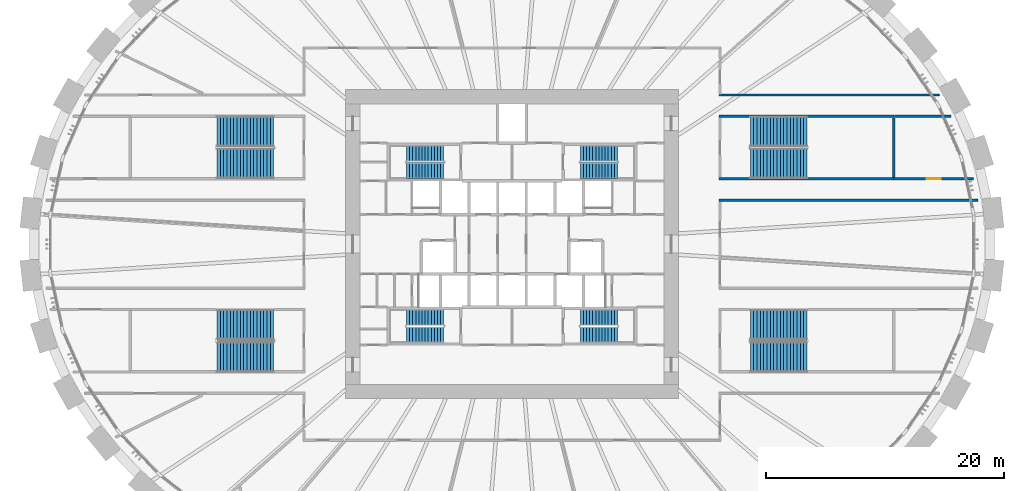
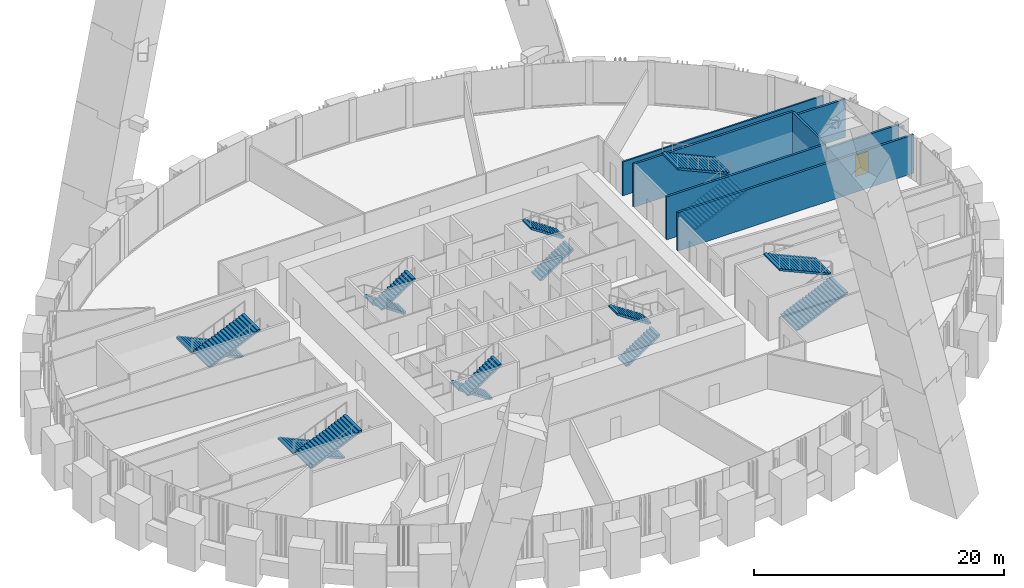
# One storey, part 12 of 23: 16 stair flights, 7 walls, 1 door, 1 opening, 8 elements without a shape of their own.
"""IFC4 building model written with IfcOpenShell, lengths in metres."""

from ifc_helpers import new_model, si_unit, direction, frame, frame_2d, origin, place, context, subcontext, project, spatial, polyline, rectangle, outline, extrude, source, transform, mapped, material, layer, layer_set, type_object, element, fill, aggregate, save


model = new_model("IFC4")

# Units and contexts
model_context = context("Model", 3, precision=1e-05, world=origin(), true_north=direction((0.0, 1.0)))
body_context = subcontext(model_context, "Body", "Model", "MODEL_VIEW")
ifc_project = project(units=[si_unit("LENGTHUNIT", "METRE"), si_unit("AREAUNIT", "SQUARE_METRE"), si_unit("VOLUMEUNIT", "CUBIC_METRE"), si_unit("PLANEANGLEUNIT", "RADIAN"), si_unit("MASSUNIT", "GRAM", prefix="KILO")], contexts=[model_context])

# Site, building, storey
site_placement = place(None, origin())
site = spatial("IfcSite", under=ifc_project, at=site_placement, CompositionType="ELEMENT")
building_placement = place(site_placement, origin())
building = spatial("IfcBuilding", under=site, at=building_placement, Name="Embergate Tower", CompositionType="ELEMENT")
storey_placement = place(building_placement, frame((0.0, 0.0, 29.0)))
storey = spatial("IfcBuildingStorey", under=building, at=storey_placement, Name="L03", CompositionType="ELEMENT", Elevation=29.0)

# Walls
ifc_material_1 = material(Name="Concrete C40", Category="concrete")
ifc_layer_1 = layer(ifc_material_1, 0.199951171875)
ifc_layer_set_1 = layer_set([ifc_layer_1], Name="Concrete C40")
wall_type_1 = type_object("IfcWallType", Name="Stair enclosure wall RC 200", PredefinedType="STANDARD", material=ifc_layer_set_1)
shared_shape_1 = source(origin(), body_context, "Body", "SweptSolid", [
    extrude(rectangle(XDim=14.72021484375, YDim=0.199951171875, at=frame_2d((7.360107421875, 0.0))), origin(), (0.0, 0.0, 1.0), 4.199951171875),
])
for number, where, z_axis, x_axis, name in (
    (1, (17.39990234375, 5.5, 0.0), (0.0, 0.0, 1.0), (1.0, 0.0, 0.0), "Stair wall 052"),
    (2, (32.1201171875, 10.75, 0.0), (0.0, 0.0, 1.0), (-1.0, 0.0, 0.0), "Stair wall 061"),
):
    element("IfcWall", number, at=place(storey_placement, frame(where, z_axis=z_axis, x_axis=x_axis)), inside=storey, type_object=wall_type_1, Name=name, PredefinedType="STANDARD", context=body_context, shape_type="MappedRepresentation", body=[
        mapped(shared_shape_1, transform((0.0, 0.0, 0.0))),
    ])
ifc_material_2 = material(Name="Plasterboard on steel stud", Category="steel")
ifc_layer_2 = layer(ifc_material_2, 0.14990234375)
ifc_layer_set_2 = layer_set([ifc_layer_2], Name="Plasterboard on steel stud")
wall_type_2 = type_object("IfcWallType", Name="Partition wall 150 board", PredefinedType="PARTITIONING", material=ifc_layer_set_2)
shared_shape_2 = source(origin(), body_context, "Body", "SweptSolid", [
    extrude(rectangle(XDim=18.510986328125, YDim=0.14990234375, at=frame_2d((9.25537109375, 0.0))), origin(), (0.0, 0.0, 1.0), 3.300048828125),
])
wall_1_placement = place(storey_placement, frame((35.93603515625, 12.550048828125, 0.0), z_axis=(0.0, 0.0, 1.0), x_axis=(-1.0, 0.0, 0.0)))
element("IfcWall", 3, at=wall_1_placement, inside=storey, type_object=wall_type_2, Name="Partition 063", PredefinedType="PARTITIONING", context=body_context, shape_type="MappedRepresentation", body=[
    mapped(shared_shape_2, transform((0.0, 0.0, 0.0))),
])
ifc_material_3 = material(Name="Blockwork, plastered", Category="masonry")
ifc_layer_3 = layer(ifc_material_3, 0.199951171875)
ifc_layer_set_3 = layer_set([ifc_layer_3], Name="Blockwork, plastered")
wall_type_3 = type_object("IfcWallType", Name="Fire partition wall 200 block", PredefinedType="PARTITIONING", material=ifc_layer_set_3)
shared_shape_3 = source(origin(), body_context, "Body", "SweptSolid", [
    extrude(rectangle(XDim=21.7900390625, YDim=0.199951171875, at=frame_2d((10.89501953125, 0.0))), origin(), (0.0, 0.0, 1.0), 3.75),
])
wall_2_placement = place(storey_placement, frame((17.39990234375, 3.699951171875, 0.0), z_axis=(0.0, 0.0, 1.0), x_axis=(1.0, 0.0, 0.0)))
element("IfcWall", 4, at=wall_2_placement, inside=storey, type_object=wall_type_3, Name="Partition 051", PredefinedType="PARTITIONING", context=body_context, shape_type="MappedRepresentation", body=[
    mapped(shared_shape_3, transform((0.0, 0.0, 0.0))),
])
shared_shape_4 = source(origin(), body_context, "Body", "SweptSolid", [
    extrude(rectangle(XDim=5.02978515625, YDim=0.199951171875, at=frame_2d((2.514892578125, 0.0))), origin(), (0.0, 0.0, 1.0), 4.199951171875),
])
wall_3_placement = place(storey_placement, frame((32.1201171875, 5.60009765625, 0.0), z_axis=(0.0, 0.0, 1.0), x_axis=(0.0, 1.0, 0.0)))
element("IfcWall", 5, at=wall_3_placement, inside=storey, type_object=wall_type_1, Name="Stair wall 060", PredefinedType="STANDARD", context=body_context, shape_type="MappedRepresentation", body=[
    mapped(shared_shape_4, transform((0.0, 0.0, 0.0))),
])
shared_shape_5 = source(origin(), body_context, "Body", "SweptSolid", [
    extrude(rectangle(XDim=4.737060546875, YDim=0.199951171875, at=frame_2d((2.36865234375, 0.0))), origin(), (0.0, 0.0, 1.0), 3.75),
])
wall_4_placement = place(storey_placement, frame((32.179931640625, 10.75, 0.0), z_axis=(0.0, 0.0, 1.0), x_axis=(1.0, 0.0, 0.0)))
element("IfcWall", 6, at=wall_4_placement, inside=storey, type_object=wall_type_3, Name="Partition 062", PredefinedType="PARTITIONING", context=body_context, shape_type="MappedRepresentation", body=[
    mapped(shared_shape_5, transform((0.0, 0.0, 0.0))),
])

# Wall, opening, door
shared_shape_6 = source(origin(), body_context, "Body", "SweptSolid", [
    extrude(rectangle(XDim=6.7119140625, YDim=0.199951171875, at=frame_2d((3.35595703125, 0.0))), origin(), (0.0, 0.0, 1.0), 3.75),
])
wall_5_placement = place(storey_placement, frame((38.83203125, 5.5, 0.0), z_axis=(0.0, 0.0, 1.0), x_axis=(-1.0, 0.0, 0.0)))
wall_5 = element("IfcWall", 7, at=wall_5_placement, inside=storey, type_object=wall_type_3, Name="Partition 065", PredefinedType="PARTITIONING", context=body_context, shape_type="MappedRepresentation", body=[
    mapped(shared_shape_6, transform((0.0, 0.0, 0.0))),
])
shared_shape_7 = source(origin(), body_context, "Body", "SweptSolid", [
    extrude(rectangle(XDim=1.199951171875, YDim=2.10009765625, at=frame_2d((0.60009765625, 1.050048828125))), frame((0.0, 0.10986328125, 0.0), z_axis=(0.0, -1.0, 0.0), x_axis=(1.0, 0.0, 0.0)), (0.0, 0.0, 1.0), 0.219970703125),
])
opening_placement = place(wall_5_placement, frame((2.756103515625, 0.0, 0.0)))
opening = element("IfcOpeningElement", 8, at=opening_placement, cuts=wall_5, Name="Opening DS-081", PredefinedType="OPENING", context=body_context, shape_type="MappedRepresentation", body=[
    mapped(shared_shape_7, transform((0.0, 0.0, 0.0))),
])
ifc_material_4 = material(Name="Timber door leaf, steel frame", Category="steel")
door_type = type_object("IfcDoorType", Name="Plant door 1200x2100", OperationType="SINGLE_SWING_LEFT", PredefinedType="DOOR", material=ifc_material_4)
shared_shape_8 = source(origin(), body_context, "Body", "SweptSolid", [
    extrude(rectangle(XDim=1.199951171875, YDim=2.10009765625, at=frame_2d((0.60009765625, 1.050048828125))), frame((0.0, 0.02490234375, 0.0), z_axis=(0.0, -1.0, 0.0), x_axis=(1.0, 0.0, 0.0)), (0.0, 0.0, 1.0), 0.050048828125),
])
door_placement = place(opening_placement, origin())
door = element("IfcDoor", 9, at=door_placement, inside=storey, type_object=door_type, Name="Door to Catering kitchen", OperationType="SINGLE_SWING_LEFT", OverallHeight=2.10009765625, OverallWidth=1.199951171875, PredefinedType="DOOR", context=body_context, shape_type="MappedRepresentation", body=[
    mapped(shared_shape_8, transform((0.0, 0.0, 0.0))),
])
fill(opening, door)

# Stair, stair flights
ifc_material_5 = material(Name="Exit stair")
stair_type_1 = type_object("IfcStairType", Name="Exit stair", PredefinedType="HALF_TURN_STAIR", material=ifc_material_5)
stair_1_placement = place(storey_placement, origin())
stair_1 = element("IfcStair", 10, at=stair_1_placement, inside=storey, type_object=stair_type_1, Name="L03 Exit stair 1", PredefinedType="HALF_TURN_STAIR")
stair_flight_type_1 = type_object("IfcStairFlightType", Name="Stair flight reinforced concrete", PredefinedType="STRAIGHT", material=ifc_material_1)
shared_shape_9 = source(origin(), body_context, "Body", "SweptSolid", [
    extrude(outline(polyline([(0.0, 0.0), (0.0, 0.173095703125), (0.260009765625, 0.173095703125), (0.260009765625, 0.34619140625), (0.52001953125, 0.34619140625), (0.52001953125, 0.519287109375), (0.780029296875, 0.519287109375), (0.780029296875, 0.6923828125), (1.0400390625, 0.6923828125), (1.0400390625, 0.865478515625), (1.300048828125, 0.865478515625), (1.300048828125, 1.03857421875), (1.56005859375, 1.03857421875), (1.56005859375, 1.21142578125), (1.820068359375, 1.21142578125), (1.820068359375, 1.384521484375), (2.080078125, 1.384521484375), (2.080078125, 1.5576171875), (2.340087890625, 1.5576171875), (2.340087890625, 1.730712890625), (2.60009765625, 1.730712890625), (2.60009765625, 1.90380859375), (2.860107421875, 1.90380859375), (2.860107421875, 2.076904296875), (3.1201171875, 2.076904296875), (3.1201171875, 2.25), (3.1201171875, 1.896728515625), (0.2705078125, 0.0), (0.0, 0.0)])), frame((0.0, 0.675048828125, 0.0), z_axis=(0.0, -1.0, 0.0), x_axis=(1.0, 0.0, 0.0)), (0.0, 0.0, 1.0), 1.35009765625),
])
stair_flight_1_placement = place(storey_placement, frame((-5.75, 7.625, 0.0), z_axis=(0.0, 0.0, 1.0), x_axis=(-1.0, 0.0, 0.0)))
stair_flight_1 = element("IfcStairFlight", 11, at=stair_flight_1_placement, type_object=stair_flight_type_1, Name="ST1 flight 1", NumberOfRisers=13, NumberOfTreads=12, PredefinedType="STRAIGHT", RiserHeight=0.173076923, TreadLength=0.26, context=body_context, shape_type="MappedRepresentation", body=[
    mapped(shared_shape_9, transform((0.0, 0.0, 0.0))),
])
stair_flight_2_placement = place(storey_placement, frame((-8.8701171875, 6.175048828125, 2.25), z_axis=(0.0, 0.0, 1.0), x_axis=(1.0, 0.0, 0.0)))
stair_flight_2 = element("IfcStairFlight", 12, at=stair_flight_2_placement, type_object=stair_flight_type_1, Name="ST1 flight 2", NumberOfRisers=13, NumberOfTreads=12, PredefinedType="STRAIGHT", RiserHeight=0.173076923, TreadLength=0.26, context=body_context, shape_type="MappedRepresentation", body=[
    mapped(shared_shape_9, transform((0.0, 0.0, 0.0))),
])
aggregate(stair_1, [stair_flight_1, stair_flight_2])

stair_2_placement = place(storey_placement, origin())
stair_2 = element("IfcStair", 13, at=stair_2_placement, inside=storey, type_object=stair_type_1, Name="L03 Exit stair 2", PredefinedType="HALF_TURN_STAIR")
stair_flight_3_placement = place(storey_placement, frame((5.75, 6.175048828125, 0.0), z_axis=(0.0, 0.0, 1.0), x_axis=(1.0, 0.0, 0.0)))
stair_flight_3 = element("IfcStairFlight", 14, at=stair_flight_3_placement, type_object=stair_flight_type_1, Name="ST2 flight 1", NumberOfRisers=13, NumberOfTreads=12, PredefinedType="STRAIGHT", RiserHeight=0.173076923, TreadLength=0.26, context=body_context, shape_type="MappedRepresentation", body=[
    mapped(shared_shape_9, transform((0.0, 0.0, 0.0))),
])
stair_flight_4_placement = place(storey_placement, frame((8.8701171875, 7.625, 2.25), z_axis=(0.0, 0.0, 1.0), x_axis=(-1.0, 0.0, 0.0)))
stair_flight_4 = element("IfcStairFlight", 15, at=stair_flight_4_placement, type_object=stair_flight_type_1, Name="ST2 flight 2", NumberOfRisers=13, NumberOfTreads=12, PredefinedType="STRAIGHT", RiserHeight=0.173076923, TreadLength=0.26, context=body_context, shape_type="MappedRepresentation", body=[
    mapped(shared_shape_9, transform((0.0, 0.0, 0.0))),
])
aggregate(stair_2, [stair_flight_3, stair_flight_4])

stair_3_placement = place(storey_placement, origin())
stair_3 = element("IfcStair", 16, at=stair_3_placement, inside=storey, type_object=stair_type_1, Name="L03 Exit stair 3", PredefinedType="HALF_TURN_STAIR")
stair_flight_5_placement = place(storey_placement, frame((-5.75, -6.175048828125, 0.0), z_axis=(0.0, 0.0, 1.0), x_axis=(-1.0, 0.0, 0.0)))
stair_flight_5 = element("IfcStairFlight", 17, at=stair_flight_5_placement, type_object=stair_flight_type_1, Name="ST3 flight 1", NumberOfRisers=13, NumberOfTreads=12, PredefinedType="STRAIGHT", RiserHeight=0.173076923, TreadLength=0.26, context=body_context, shape_type="MappedRepresentation", body=[
    mapped(shared_shape_9, transform((0.0, 0.0, 0.0))),
])
stair_flight_6_placement = place(storey_placement, frame((-8.8701171875, -7.625, 2.25), z_axis=(0.0, 0.0, 1.0), x_axis=(1.0, 0.0, 0.0)))
stair_flight_6 = element("IfcStairFlight", 18, at=stair_flight_6_placement, type_object=stair_flight_type_1, Name="ST3 flight 2", NumberOfRisers=13, NumberOfTreads=12, PredefinedType="STRAIGHT", RiserHeight=0.173076923, TreadLength=0.26, context=body_context, shape_type="MappedRepresentation", body=[
    mapped(shared_shape_9, transform((0.0, 0.0, 0.0))),
])
aggregate(stair_3, [stair_flight_5, stair_flight_6])

stair_4_placement = place(storey_placement, origin())
stair_4 = element("IfcStair", 19, at=stair_4_placement, inside=storey, type_object=stair_type_1, Name="L03 Exit stair 4", PredefinedType="HALF_TURN_STAIR")
stair_flight_7_placement = place(storey_placement, frame((5.75, -7.625, 0.0), z_axis=(0.0, 0.0, 1.0), x_axis=(1.0, 0.0, 0.0)))
stair_flight_7 = element("IfcStairFlight", 20, at=stair_flight_7_placement, type_object=stair_flight_type_1, Name="ST4 flight 1", NumberOfRisers=13, NumberOfTreads=12, PredefinedType="STRAIGHT", RiserHeight=0.173076923, TreadLength=0.26, context=body_context, shape_type="MappedRepresentation", body=[
    mapped(shared_shape_9, transform((0.0, 0.0, 0.0))),
])
stair_flight_8_placement = place(storey_placement, frame((8.8701171875, -6.175048828125, 2.25), z_axis=(0.0, 0.0, 1.0), x_axis=(-1.0, 0.0, 0.0)))
stair_flight_8 = element("IfcStairFlight", 21, at=stair_flight_8_placement, type_object=stair_flight_type_1, Name="ST4 flight 2", NumberOfRisers=13, NumberOfTreads=12, PredefinedType="STRAIGHT", RiserHeight=0.173076923, TreadLength=0.26, context=body_context, shape_type="MappedRepresentation", body=[
    mapped(shared_shape_9, transform((0.0, 0.0, 0.0))),
])
aggregate(stair_4, [stair_flight_7, stair_flight_8])

stair_type_2 = type_object("IfcStairType", Name="Podium exit stair RC", PredefinedType="HALF_TURN_STAIR", material=ifc_material_1)
stair_5_placement = place(storey_placement, origin())
stair_5 = element("IfcStair", 22, at=stair_5_placement, inside=storey, type_object=stair_type_2, Name="L03 Podium exit stair 1", PredefinedType="HALF_TURN_STAIR")
stair_flight_type_2 = type_object("IfcStairFlightType", Name="Podium exit stair flight RC", PredefinedType="STRAIGHT", material=ifc_material_1)
shared_shape_10 = source(origin(), body_context, "Body", "SweptSolid", [
    extrude(outline(polyline([(0.0, 0.0), (0.0, 0.125), (0.280029296875, 0.125), (0.280029296875, 0.25), (0.56005859375, 0.25), (0.56005859375, 0.375), (0.840087890625, 0.375), (0.840087890625, 0.5), (1.1201171875, 0.5), (1.1201171875, 0.625), (1.39990234375, 0.625), (1.39990234375, 0.75), (1.679931640625, 0.75), (1.679931640625, 0.875), (1.9599609375, 0.875), (1.9599609375, 1.0), (2.239990234375, 1.0), (2.239990234375, 1.125), (2.52001953125, 1.125), (2.52001953125, 1.25), (2.800048828125, 1.25), (2.800048828125, 1.375), (3.080078125, 1.375), (3.080078125, 1.5), (3.360107421875, 1.5), (3.360107421875, 1.625), (3.639892578125, 1.625), (3.639892578125, 1.75), (3.919921875, 1.75), (3.919921875, 1.875), (4.199951171875, 1.875), (4.199951171875, 2.0), (4.47998046875, 2.0), (4.47998046875, 2.125), (4.760009765625, 2.125), (4.760009765625, 2.25), (4.760009765625, 1.9609375), (0.36767578125, 0.0), (0.0, 0.0)])), frame((0.0, 1.27490234375, 0.0), z_axis=(0.0, -1.0, 0.0), x_axis=(1.0, 0.0, 0.0)), (0.0, 0.0, 1.0), 2.550048828125),
])
stair_flight_9_placement = place(storey_placement, frame((20.050048828125, 6.77490234375, 0.0), z_axis=(0.0, 0.0, 1.0), x_axis=(1.0, 0.0, 0.0)))
stair_flight_9 = element("IfcStairFlight", 23, at=stair_flight_9_placement, type_object=stair_flight_type_2, Name="P1 flight 1", NumberOfRisers=18, NumberOfTreads=17, PredefinedType="STRAIGHT", RiserHeight=0.125, TreadLength=0.28, context=body_context, shape_type="MappedRepresentation", body=[
    mapped(shared_shape_10, transform((0.0, 0.0, 0.0))),
])
stair_flight_10_placement = place(storey_placement, frame((24.81005859375, 9.47509765625, 2.25), z_axis=(0.0, 0.0, 1.0), x_axis=(-1.0, 0.0, 0.0)))
stair_flight_10 = element("IfcStairFlight", 24, at=stair_flight_10_placement, type_object=stair_flight_type_2, Name="P1 flight 2", NumberOfRisers=18, NumberOfTreads=17, PredefinedType="STRAIGHT", RiserHeight=0.125, TreadLength=0.28, context=body_context, shape_type="MappedRepresentation", body=[
    mapped(shared_shape_10, transform((0.0, 0.0, 0.0))),
])
aggregate(stair_5, [stair_flight_9, stair_flight_10])

stair_6_placement = place(storey_placement, origin())
stair_6 = element("IfcStair", 25, at=stair_6_placement, inside=storey, type_object=stair_type_2, Name="L03 Podium exit stair 2", PredefinedType="HALF_TURN_STAIR")
stair_flight_11_placement = place(storey_placement, frame((20.050048828125, -9.47509765625, 0.0), z_axis=(0.0, 0.0, 1.0), x_axis=(1.0, 0.0, 0.0)))
stair_flight_11 = element("IfcStairFlight", 26, at=stair_flight_11_placement, type_object=stair_flight_type_2, Name="P2 flight 1", NumberOfRisers=18, NumberOfTreads=17, PredefinedType="STRAIGHT", RiserHeight=0.125, TreadLength=0.28, context=body_context, shape_type="MappedRepresentation", body=[
    mapped(shared_shape_10, transform((0.0, 0.0, 0.0))),
])
stair_flight_12_placement = place(storey_placement, frame((24.81005859375, -6.77490234375, 2.25), z_axis=(0.0, 0.0, 1.0), x_axis=(-1.0, 0.0, 0.0)))
stair_flight_12 = element("IfcStairFlight", 27, at=stair_flight_12_placement, type_object=stair_flight_type_2, Name="P2 flight 2", NumberOfRisers=18, NumberOfTreads=17, PredefinedType="STRAIGHT", RiserHeight=0.125, TreadLength=0.28, context=body_context, shape_type="MappedRepresentation", body=[
    mapped(shared_shape_10, transform((0.0, 0.0, 0.0))),
])
aggregate(stair_6, [stair_flight_11, stair_flight_12])

stair_7_placement = place(storey_placement, origin())
stair_7 = element("IfcStair", 28, at=stair_7_placement, inside=storey, type_object=stair_type_2, Name="L03 Podium exit stair 3", PredefinedType="HALF_TURN_STAIR")
stair_flight_13_placement = place(storey_placement, frame((-20.050048828125, 9.47509765625, 0.0), z_axis=(0.0, 0.0, 1.0), x_axis=(-1.0, 0.0, 0.0)))
stair_flight_13 = element("IfcStairFlight", 29, at=stair_flight_13_placement, type_object=stair_flight_type_2, Name="P3 flight 1", NumberOfRisers=18, NumberOfTreads=17, PredefinedType="STRAIGHT", RiserHeight=0.125, TreadLength=0.28, context=body_context, shape_type="MappedRepresentation", body=[
    mapped(shared_shape_10, transform((0.0, 0.0, 0.0))),
])
stair_flight_14_placement = place(storey_placement, frame((-24.81005859375, 6.77490234375, 2.25), z_axis=(0.0, 0.0, 1.0), x_axis=(1.0, 0.0, 0.0)))
stair_flight_14 = element("IfcStairFlight", 30, at=stair_flight_14_placement, type_object=stair_flight_type_2, Name="P3 flight 2", NumberOfRisers=18, NumberOfTreads=17, PredefinedType="STRAIGHT", RiserHeight=0.125, TreadLength=0.28, context=body_context, shape_type="MappedRepresentation", body=[
    mapped(shared_shape_10, transform((0.0, 0.0, 0.0))),
])
aggregate(stair_7, [stair_flight_13, stair_flight_14])

stair_8_placement = place(storey_placement, origin())
stair_8 = element("IfcStair", 31, at=stair_8_placement, inside=storey, type_object=stair_type_2, Name="L03 Podium exit stair 4", PredefinedType="HALF_TURN_STAIR")
stair_flight_15_placement = place(storey_placement, frame((-20.050048828125, -6.77490234375, 0.0), z_axis=(0.0, 0.0, 1.0), x_axis=(-1.0, 0.0, 0.0)))
stair_flight_15 = element("IfcStairFlight", 32, at=stair_flight_15_placement, type_object=stair_flight_type_2, Name="P4 flight 1", NumberOfRisers=18, NumberOfTreads=17, PredefinedType="STRAIGHT", RiserHeight=0.125, TreadLength=0.28, context=body_context, shape_type="MappedRepresentation", body=[
    mapped(shared_shape_10, transform((0.0, 0.0, 0.0))),
])
stair_flight_16_placement = place(storey_placement, frame((-24.81005859375, -9.47509765625, 2.25), z_axis=(0.0, 0.0, 1.0), x_axis=(1.0, 0.0, 0.0)))
stair_flight_16 = element("IfcStairFlight", 33, at=stair_flight_16_placement, type_object=stair_flight_type_2, Name="P4 flight 2", NumberOfRisers=18, NumberOfTreads=17, PredefinedType="STRAIGHT", RiserHeight=0.125, TreadLength=0.28, context=body_context, shape_type="MappedRepresentation", body=[
    mapped(shared_shape_10, transform((0.0, 0.0, 0.0))),
])
aggregate(stair_8, [stair_flight_15, stair_flight_16])

save(model, "model.ifc")
